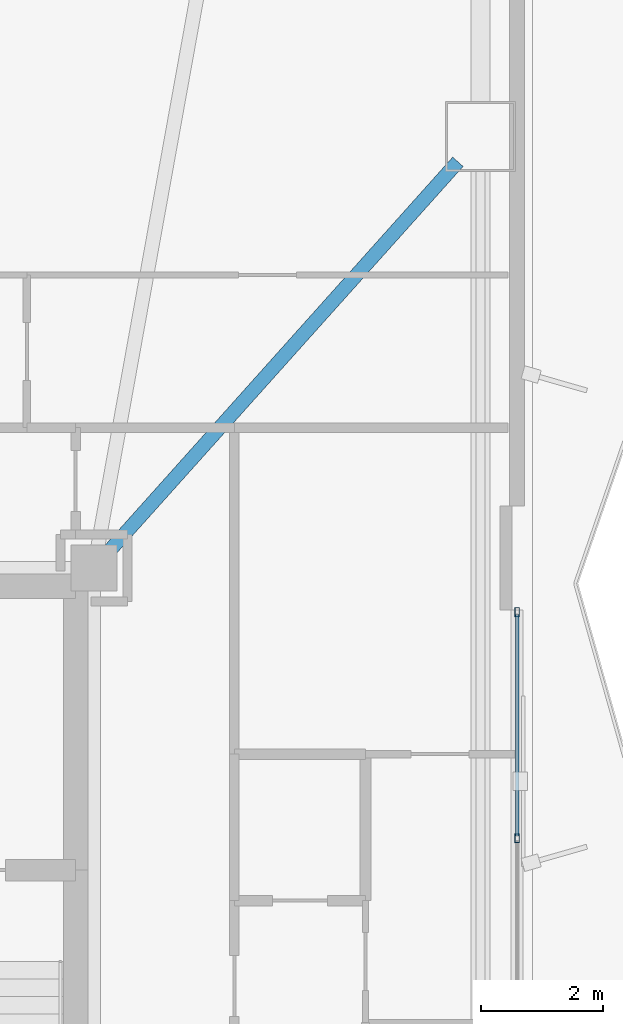
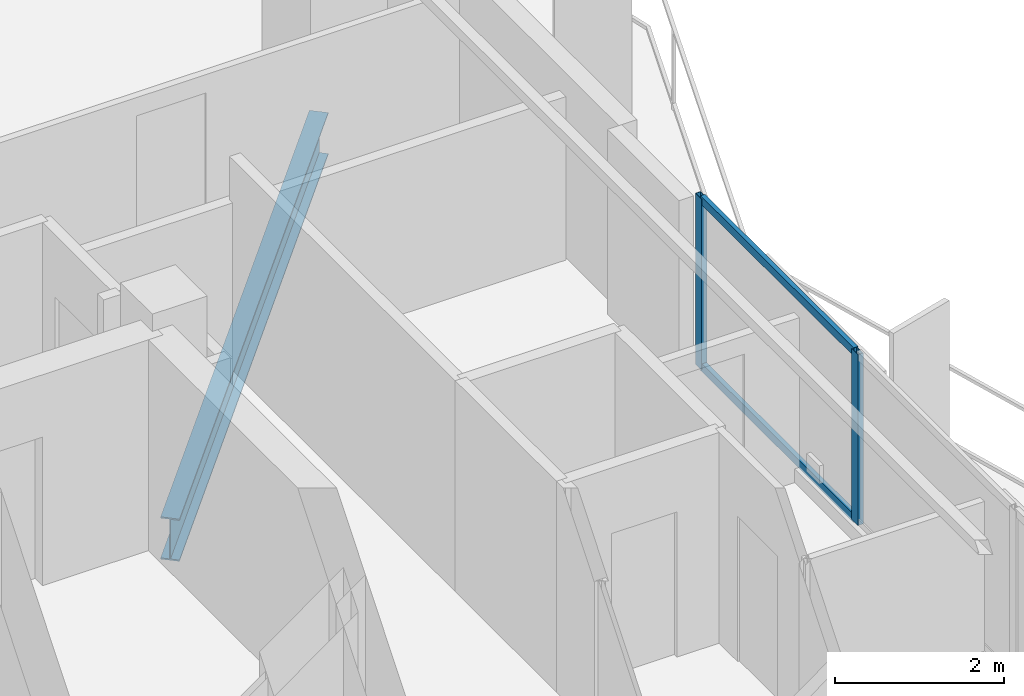
# One storey, part 10 of 23: 4 members, 1 beam, 1 element without a shape of its own.
"""IFC4 building model written with IfcOpenShell, lengths in metres."""

from ifc_helpers import new_model, si_unit, direction, frame, origin, origin_2d, place, context, subcontext, project, spatial, hollow_rectangle, i_section, extrude, material, layer, layer_set, material_profile, profile_set, type_object, element, aggregate, save


model = new_model("IFC4")

# Units and contexts
model_context = context("Model", 3, precision=1e-05, world=origin(), true_north=direction((0.0, 1.0)))
body_context = subcontext(model_context, "Body", "Model", "MODEL_VIEW")
ifc_project = project(units=[si_unit("LENGTHUNIT", "METRE"), si_unit("AREAUNIT", "SQUARE_METRE"), si_unit("VOLUMEUNIT", "CUBIC_METRE"), si_unit("PLANEANGLEUNIT", "RADIAN"), si_unit("MASSUNIT", "GRAM", prefix="KILO")], contexts=[model_context])

# Site, building, storey
site_placement = place(None, origin())
site = spatial("IfcSite", under=ifc_project, at=site_placement, CompositionType="ELEMENT")
building_placement = place(site_placement, origin())
building = spatial("IfcBuilding", under=site, at=building_placement, Name="Mersakhor Tower and Convention Hall", CompositionType="ELEMENT")
storey_placement = place(building_placement, frame((0.0, 0.0, 106.5)))
storey = spatial("IfcBuildingStorey", under=building, at=storey_placement, Name="L29", CompositionType="ELEMENT", Elevation=106.5)

# Beam
ifc_material_1 = material(Name="Steel S355", Category="steel")
ifc_material_profile_1 = material_profile(ifc_material_1, i_section(OverallWidth=0.22900390625, OverallDepth=0.6123046875, WebThickness=0.011962890625, FlangeThickness=0.01953125, at=origin_2d()), Name="UB 610x229x125")
ifc_profile_set_1 = profile_set([ifc_material_profile_1], Name="Steel S355")
beam_type = type_object("IfcBeamType", Name="BM-PR-610", PredefinedType="BEAM", material=ifc_profile_set_1)
beam_placement = place(storey_placement, frame((36.3369140625, 33.314453125, -0.55615234375), z_axis=(0.667217091819, 0.744863311209, 0.0), x_axis=(-0.744863311209, 0.667217091819, 0.0)))
element("IfcBeam", 1, at=beam_placement, inside=storey, type_object=beam_type, Name="L29 Primary Floor Girder FG-3", PredefinedType="BEAM", context=body_context, shape_type="SweptSolid", body=[
    extrude(i_section(OverallWidth=0.22900390625, OverallDepth=0.6123046875, WebThickness=0.011962890625, FlangeThickness=0.01953125, at=origin_2d()), origin(), (0.0, 0.0, 1.0), 8.583740234375),
])

# Curtain wall, members
ifc_material_2 = material(Name="Dark solar low-E aluminium curtain wall", Category="aluminium")
ifc_layer = layer(ifc_material_2, 0.159912109375)
ifc_layer_set = layer_set([ifc_layer], Name="Dark solar low-E aluminium curtain wall")
curtain_wall_type = type_object("IfcCurtainWallType", Name="CW-SYS-01", PredefinedType="USERDEFINED", material=ifc_layer_set)
curtain_wall_placement = place(storey_placement, origin())
curtain_wall = element("IfcCurtainWall", 2, at=curtain_wall_placement, inside=storey, type_object=curtain_wall_type, Name="L29 Dark-Glass Curtain Wall F2-B2", ObjectType="CURTAIN WALL", PredefinedType="USERDEFINED")
ifc_material_3 = material(Name="Anodised aluminium EN AW-6063 T6", Category="aluminium")
ifc_material_profile_2 = material_profile(ifc_material_3, hollow_rectangle(XDim=0.074951171875, YDim=0.14990234375, WallThickness=0.00634765625, at=origin_2d()), Name="RHS 150x75x6.3")
ifc_profile_set_2 = profile_set([ifc_material_profile_2], Name="Anodised aluminium EN AW-6063 T6")
member_type_1 = type_object("IfcMemberType", Name="CWM-150x75", PredefinedType="MULLION", material=ifc_profile_set_2)
member_1_placement = place(storey_placement, frame((43.03466796875, 32.327392578125, 0.199951171875), z_axis=(0.0, 0.0, 1.0), x_axis=(1.0, 0.0, 0.0)))
member_1 = element("IfcMember", 3, at=member_1_placement, type_object=member_type_1, Name="CW-01 mullion 1", PredefinedType="MULLION", context=body_context, shape_type="SweptSolid", body=[
    extrude(hollow_rectangle(XDim=0.074951171875, YDim=0.14990234375, WallThickness=0.00634765625, at=origin_2d()), origin(), (0.0, 0.0, 1.0), 2.469970703125),
])
member_2_placement = place(storey_placement, frame((43.03466796875, 28.62158203125, 0.199951171875), z_axis=(0.0, 0.0, 1.0), x_axis=(1.0, 0.0, 0.0)))
member_2 = element("IfcMember", 4, at=member_2_placement, type_object=member_type_1, Name="CW-01 mullion 2", PredefinedType="MULLION", context=body_context, shape_type="SweptSolid", body=[
    extrude(hollow_rectangle(XDim=0.074951171875, YDim=0.14990234375, WallThickness=0.00634765625, at=origin_2d()), origin(), (0.0, 0.0, 1.0), 2.469970703125),
])
ifc_material_4 = material(Name="Anodised aluminium EN AW-6063 T6", Category="aluminium")
ifc_material_profile_3 = material_profile(ifc_material_4, hollow_rectangle(XDim=0.06005859375, YDim=0.1201171875, WallThickness=0.0048828125, at=origin_2d()), Name="RHS 120x60x5")
ifc_profile_set_3 = profile_set([ifc_material_profile_3], Name="Anodised aluminium EN AW-6063 T6")
member_type_2 = type_object("IfcMemberType", Name="CWT-120x60", PredefinedType="USERDEFINED", material=ifc_profile_set_3)
member_3_placement = place(storey_placement, frame((43.03466796875, 32.289794921875, 0.22998046875), z_axis=(0.0, -1.0, 0.0), x_axis=(1.0, 0.0, 0.0)))
member_3 = element("IfcMember", 5, at=member_3_placement, type_object=member_type_2, Name="CW-01 transom 1.1", ObjectType="TRANSOM", PredefinedType="USERDEFINED", context=body_context, shape_type="SweptSolid", body=[
    extrude(hollow_rectangle(XDim=0.06005859375, YDim=0.1201171875, WallThickness=0.0048828125, at=origin_2d()), origin(), (0.0, 0.0, 1.0), 3.630615234375),
])
member_4_placement = place(storey_placement, frame((43.03466796875, 32.289794921875, 2.639892578125), z_axis=(0.0, -1.0, 0.0), x_axis=(1.0, 0.0, 0.0)))
member_4 = element("IfcMember", 6, at=member_4_placement, type_object=member_type_2, Name="CW-01 transom 1.2", ObjectType="TRANSOM", PredefinedType="USERDEFINED", context=body_context, shape_type="SweptSolid", body=[
    extrude(hollow_rectangle(XDim=0.06005859375, YDim=0.1201171875, WallThickness=0.0048828125, at=origin_2d()), origin(), (0.0, 0.0, 1.0), 3.630615234375),
])
aggregate(curtain_wall, [member_1, member_2, member_3, member_4])

save(model, "model.ifc")
